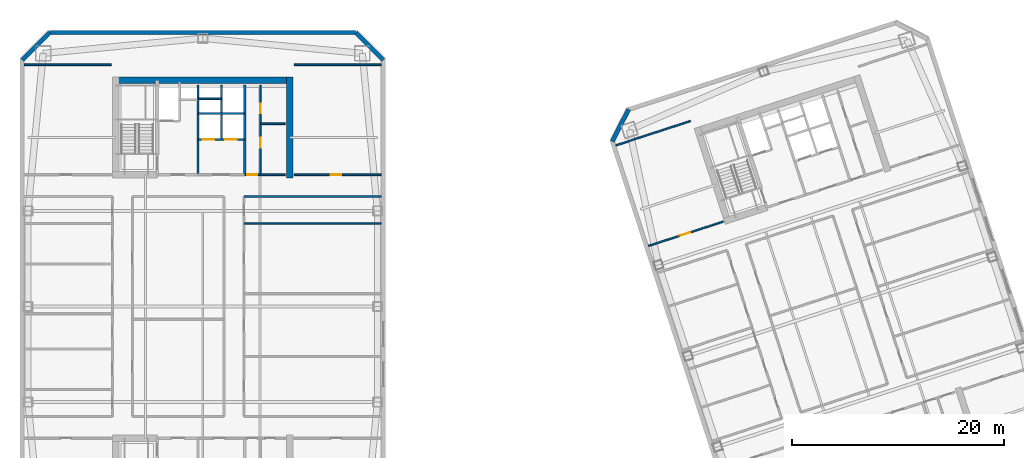
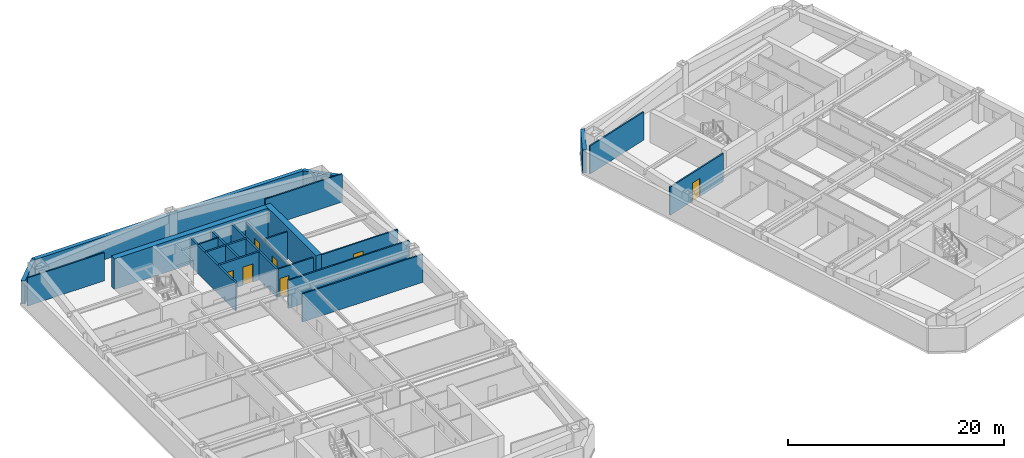
# One storey, part 7 of 13: 22 walls, 7 doors, 7 openings.
"""IFC4 building model written with IfcOpenShell, lengths in metres."""

from ifc_helpers import new_model, si_unit, direction, frame, frame_2d, origin, place, context, subcontext, project, spatial, rectangle, extrude, material, layer, layer_set, type_object, element, fill, save


model = new_model("IFC4")

# Units and contexts
model_context = context("Model", 3, precision=1e-05, world=origin(), true_north=direction((0.0, 1.0)))
body_context = subcontext(model_context, "Body", "Model", "MODEL_VIEW")
ifc_project = project(units=[si_unit("LENGTHUNIT", "METRE"), si_unit("AREAUNIT", "SQUARE_METRE"), si_unit("VOLUMEUNIT", "CUBIC_METRE"), si_unit("PLANEANGLEUNIT", "RADIAN"), si_unit("MASSUNIT", "GRAM", prefix="KILO")], contexts=[model_context])

# Site, building, storey
site_placement = place(None, origin())
site = spatial("IfcSite", under=ifc_project, at=site_placement, CompositionType="ELEMENT")
building_placement = place(site_placement, origin())
building = spatial("IfcBuilding", under=site, at=building_placement, Name="Qiaolan Cultural Towers", CompositionType="ELEMENT")
storey_placement = place(building_placement, frame((0.0, 0.0, 170.199951171875)))
storey = spatial("IfcBuildingStorey", under=building, at=storey_placement, Name="L45", CompositionType="ELEMENT", Elevation=170.199951171875)

# Walls
ifc_material_1 = material(Name="Concrete C55", Category="concrete")
ifc_layer_1 = layer(ifc_material_1, 0.60009765625)
ifc_layer_set_1 = layer_set([ifc_layer_1], Name="Concrete C55")
wall_type_1 = type_object("IfcWallType", Name="WL-CORE-600", PredefinedType="SHEAR", material=ifc_layer_set_1)
wall_1_placement = place(storey_placement, frame((21.5, 55.280029296875, 0.0), z_axis=(0.0, 0.0, 1.0), x_axis=(1.0, 0.0, 0.0)))
element("IfcWall", 1, at=wall_1_placement, inside=storey, type_object=wall_type_1, Name="L45 T1-CN Outer Core Shear Wall", PredefinedType="SHEAR", context=body_context, shape_type="SweptSolid", body=[
    extrude(rectangle(XDim=17.0, YDim=0.60009765625, at=frame_2d((8.5, 0.0))), origin(), (0.0, 0.0, 1.0), 3.449951171875),
])
wall_2_placement = place(storey_placement, frame((38.199951171875, 46.10009765625, 0.0), z_axis=(0.0, 0.0, 1.0), x_axis=(0.0, 1.0, 0.0)))
element("IfcWall", 2, at=wall_2_placement, inside=storey, type_object=wall_type_1, Name="L45 T1-CN East Core Shear Wall", PredefinedType="SHEAR", context=body_context, shape_type="SweptSolid", body=[
    extrude(rectangle(XDim=9.47998046875, YDim=0.60009765625, at=frame_2d((4.739990234375, 0.0))), origin(), (0.0, 0.0, 1.0), 3.449951171875),
])
ifc_material_2 = material(Name="Precast Concrete C50 Honed Stone Pier", Category="masonry")
ifc_layer_2 = layer(ifc_material_2, 0.39990234375)
ifc_layer_set_2 = layer_set([ifc_layer_2], Name="Precast Concrete C50 Honed Stone Pier")
wall_type_2 = type_object("IfcWallType", Name="WL-EXT-PIER-400", PredefinedType="SOLIDWALL", material=ifc_layer_set_2)
wall_3_placement = place(storey_placement, frame((13.0, 57.199951171875, 0.0), z_axis=(0.0, 0.0, 1.0), x_axis=(0.707106781187, 0.707106781187, 0.0)))
element("IfcWall", 3, at=wall_3_placement, inside=storey, type_object=wall_type_2, Name="L45 West Tower Precast Pier Facade Wall F2", PredefinedType="SOLIDWALL", context=body_context, shape_type="SweptSolid", body=[
    extrude(rectangle(XDim=3.677001953125, YDim=0.39990234375, at=frame_2d((1.83837890625, 0.0))), origin(), (0.0, 0.0, 1.0), 2.610107421875),
])
wall_4_placement = place(storey_placement, frame((15.60009765625, 59.800048828125, 0.0), z_axis=(0.0, 0.0, 1.0), x_axis=(1.0, 0.0, 0.0)))
element("IfcWall", 4, at=wall_4_placement, inside=storey, type_object=wall_type_2, Name="L45 West Tower Precast Pier Facade Wall F3", PredefinedType="SOLIDWALL", context=body_context, shape_type="SweptSolid", body=[
    extrude(rectangle(XDim=28.7998046875, YDim=0.39990234375, at=frame_2d((14.39990234375, 0.0))), origin(), (0.0, 0.0, 1.0), 2.610107421875),
])
wall_5_placement = place(storey_placement, frame((44.39990234375, 59.800048828125, 0.0), z_axis=(0.0, 0.0, 1.0), x_axis=(0.707106781187, -0.707106781187, 0.0)))
element("IfcWall", 5, at=wall_5_placement, inside=storey, type_object=wall_type_2, Name="L45 West Tower Precast Pier Facade Wall F4", PredefinedType="SOLIDWALL", context=body_context, shape_type="SweptSolid", body=[
    extrude(rectangle(XDim=3.677001953125, YDim=0.39990234375, at=frame_2d((1.83837890625, 0.0))), origin(), (0.0, 0.0, 1.0), 2.610107421875),
])
wall_6_placement = place(storey_placement, frame((68.550537109375, 49.531982421875, 0.0), z_axis=(0.0, 0.0, 1.0), x_axis=(0.454019523198, 0.890991735402, 0.0)))
element("IfcWall", 6, at=wall_6_placement, inside=storey, type_object=wall_type_2, Name="L45 East Tower Precast Pier Facade Wall F2", PredefinedType="SOLIDWALL", context=body_context, shape_type="SweptSolid", body=[
    extrude(rectangle(XDim=3.39404296875, YDim=0.39990234375, at=frame_2d((1.697021484375, 0.0))), origin(), (0.0, 0.0, 1.0), 2.610107421875),
])
ifc_material_3 = material(Name="Concrete C35 Fire Wall", Category="concrete")
ifc_layer_3 = layer(ifc_material_3, 0.199951171875)
ifc_layer_set_3 = layer_set([ifc_layer_3], Name="Concrete C35 Fire Wall")
wall_type_3 = type_object("IfcWallType", Name="WL-FIRE-200", PredefinedType="PARTITIONING", material=ifc_layer_set_3)
for number, where, z_axis, x_axis, name in (
    (7, (29.550048828125, 46.39990234375, 0.0), (0.0, 0.0, 1.0), (0.0, 1.0, 0.0), "L45 T1-CN Firefighting Zone Wall"),
    (8, (33.949951171875, 46.39990234375, 0.0), (0.0, 0.0, 1.0), (0.0, 1.0, 0.0), "L45 T1-CN Lift Core East Wall"),
):
    element("IfcWall", number, at=place(storey_placement, frame(where, z_axis=z_axis, x_axis=x_axis)), inside=storey, type_object=wall_type_3, Name=name, PredefinedType="PARTITIONING", context=body_context, shape_type="SweptSolid", body=[
        extrude(rectangle(XDim=8.43017578125, YDim=0.199951171875, at=frame_2d((4.215087890625, 0.0))), origin(), (0.0, 0.0, 1.0), 3.175048828125),
    ])

# Wall, openings, doors
wall_7_placement = place(storey_placement, frame((29.550048828125, 49.719970703125, 0.0), z_axis=(0.0, 0.0, 1.0), x_axis=(1.0, 0.0, 0.0)))
wall_7 = element("IfcWall", 9, at=wall_7_placement, inside=storey, type_object=wall_type_3, Name="L45 T1-CN Passenger Lift Shaft Front Wall", PredefinedType="PARTITIONING", context=body_context, shape_type="SweptSolid", body=[
    extrude(rectangle(XDim=4.39990234375, YDim=0.199951171875, at=frame_2d((2.199951171875, 0.0))), origin(), (0.0, 0.0, 1.0), 3.175048828125),
])
opening_1_placement = place(wall_7_placement, frame((0.449951171875, 0.0, 0.0)))
opening_1 = element("IfcOpeningElement", 10, at=opening_1_placement, cuts=wall_7, Name="Opening LD-01", PredefinedType="OPENING", context=body_context, shape_type="SweptSolid", body=[
    extrude(rectangle(XDim=1.10009765625, YDim=2.050048828125, at=frame_2d((0.550048828125, 1.02490234375))), frame((0.0, 0.10986328125, 0.0), z_axis=(0.0, -1.0, 0.0), x_axis=(1.0, 0.0, 0.0)), (0.0, 0.0, 1.0), 0.219970703125),
])
opening_2_placement = place(wall_7_placement, frame((2.550048828125, 0.0, 0.0)))
opening_2 = element("IfcOpeningElement", 11, at=opening_2_placement, cuts=wall_7, Name="Opening LD-01", PredefinedType="OPENING", context=body_context, shape_type="SweptSolid", body=[
    extrude(rectangle(XDim=1.10009765625, YDim=2.050048828125, at=frame_2d((0.550048828125, 1.02490234375))), frame((0.0, 0.10986328125, 0.0), z_axis=(0.0, -1.0, 0.0), x_axis=(1.0, 0.0, 0.0)), (0.0, 0.0, 1.0), 0.219970703125),
])
ifc_material_4 = material(Name="Brushed Stainless Steel S30408 Centre-Parting Lift Landing Door", Category="steel")
door_type_1 = type_object("IfcDoorType", Name="DR-LIFT-1100", OperationType="NOTDEFINED", PredefinedType="DOOR", material=ifc_material_4)
door_1_placement = place(opening_1_placement, origin())
door_1 = element("IfcDoor", 12, at=door_1_placement, inside=storey, type_object=door_type_1, Name="L45 Passenger Lift 1 Landing Door", OperationType="DOUBLE_DOOR_SLIDING", OverallHeight=2.050048828125, OverallWidth=1.10009765625, PredefinedType="DOOR", context=body_context, shape_type="SweptSolid", body=[
    extrude(rectangle(XDim=1.10009765625, YDim=2.050048828125, at=frame_2d((0.550048828125, 1.02490234375))), frame((0.0, 0.02490234375, 0.0), z_axis=(0.0, -1.0, 0.0), x_axis=(1.0, 0.0, 0.0)), (0.0, 0.0, 1.0), 0.050048828125),
])
fill(opening_1, door_1)
door_2_placement = place(opening_2_placement, origin())
door_2 = element("IfcDoor", 13, at=door_2_placement, inside=storey, type_object=door_type_1, Name="L45 Passenger Lift 2 Landing Door", OperationType="DOUBLE_DOOR_SLIDING", OverallHeight=2.050048828125, OverallWidth=1.10009765625, PredefinedType="DOOR", context=body_context, shape_type="SweptSolid", body=[
    extrude(rectangle(XDim=1.10009765625, YDim=2.050048828125, at=frame_2d((0.550048828125, 1.02490234375))), frame((0.0, 0.02490234375, 0.0), z_axis=(0.0, -1.0, 0.0), x_axis=(1.0, 0.0, 0.0)), (0.0, 0.0, 1.0), 0.050048828125),
])
fill(opening_2, door_2)

# Walls
wall_8_placement = place(storey_placement, frame((31.780029296875, 49.719970703125, 0.0), z_axis=(0.0, 0.0, 1.0), x_axis=(0.0, 1.0, 0.0)))
element("IfcWall", 14, at=wall_8_placement, inside=storey, type_object=wall_type_3, Name="L45 T1-CN Lift Shaft Divider Wall", PredefinedType="PARTITIONING", context=body_context, shape_type="SweptSolid", body=[
    extrude(rectangle(XDim=5.110107421875, YDim=0.199951171875, at=frame_2d((2.55517578125, 0.0))), origin(), (0.0, 0.0, 1.0), 3.175048828125),
])
wall_9_placement = place(storey_placement, frame((29.550048828125, 52.14990234375, 0.0), z_axis=(0.0, 0.0, 1.0), x_axis=(1.0, 0.0, 0.0)))
element("IfcWall", 15, at=wall_9_placement, inside=storey, type_object=wall_type_3, Name="L45 T1-CN Passenger Lift Shaft Back Wall", PredefinedType="PARTITIONING", context=body_context, shape_type="SweptSolid", body=[
    extrude(rectangle(XDim=4.39990234375, YDim=0.199951171875, at=frame_2d((2.199951171875, 0.0))), origin(), (0.0, 0.0, 1.0), 3.175048828125),
])
ifc_material_5 = material(Name="Autoclaved Aerated Concrete Block B06", Category="concrete")
ifc_layer_4 = layer(ifc_material_5, 0.14990234375)
ifc_layer_set_4 = layer_set([ifc_layer_4], Name="Autoclaved Aerated Concrete Block B06")
wall_type_4 = type_object("IfcWallType", Name="WL-PART-150", PredefinedType="PARTITIONING", material=ifc_layer_set_4)
wall_10_placement = place(storey_placement, frame((29.550048828125, 53.550048828125, 0.0), z_axis=(0.0, 0.0, 1.0), x_axis=(1.0, 0.0, 0.0)))
element("IfcWall", 16, at=wall_10_placement, inside=storey, type_object=wall_type_4, Name="L45 T1-CN Core Rear Riser Split", PredefinedType="PARTITIONING", context=body_context, shape_type="SweptSolid", body=[
    extrude(rectangle(XDim=2.22998046875, YDim=0.14990234375, at=frame_2d((1.114990234375, 0.0))), origin(), (0.0, 0.0, 1.0), 3.175048828125),
])

# Wall, opening, door
wall_11_placement = place(storey_placement, frame((33.949951171875, 46.39990234375, 0.0), z_axis=(0.0, 0.0, 1.0), x_axis=(1.0, 0.0, 0.0)))
wall_11 = element("IfcWall", 17, at=wall_11_placement, inside=storey, type_object=wall_type_4, Name="L45 T1-CN Sanitary Core Front Wall", PredefinedType="PARTITIONING", context=body_context, shape_type="SweptSolid", body=[
    extrude(rectangle(XDim=3.800048828125, YDim=0.14990234375, at=frame_2d((1.89990234375, 0.0))), origin(), (0.0, 0.0, 1.0), 3.175048828125),
])
opening_3_placement = place(wall_11_placement, frame((0.219970703125, 0.0, 0.0)))
opening_3 = element("IfcOpeningElement", 18, at=opening_3_placement, cuts=wall_11, Name="Opening ID-05", PredefinedType="OPENING", context=body_context, shape_type="SweptSolid", body=[
    extrude(rectangle(XDim=0.949951171875, YDim=2.050048828125, at=frame_2d((0.47509765625, 1.02490234375))), frame((0.0, 0.0849609375, 0.0), z_axis=(0.0, -1.0, 0.0), x_axis=(1.0, 0.0, 0.0)), (0.0, 0.0, 1.0), 0.169921875),
])
ifc_material_6 = material(Name="Fire-Rated Laminate Accessible Core Door", Category="timber")
door_type_2 = type_object("IfcDoorType", Name="DR-INT-950", OperationType="NOTDEFINED", PredefinedType="DOOR", material=ifc_material_6)
door_3_placement = place(opening_3_placement, origin())
door_3 = element("IfcDoor", 19, at=door_3_placement, inside=storey, type_object=door_type_2, Name="L45 Sanitary Lobby Door", OperationType="SINGLE_SWING_LEFT", OverallHeight=2.050048828125, OverallWidth=0.949951171875, PredefinedType="DOOR", context=body_context, shape_type="SweptSolid", body=[
    extrude(rectangle(XDim=0.949951171875, YDim=2.050048828125, at=frame_2d((0.47509765625, 1.02490234375))), frame((0.0, 0.02490234375, 0.0), z_axis=(0.0, -1.0, 0.0), x_axis=(1.0, 0.0, 0.0)), (0.0, 0.0, 1.0), 0.050048828125),
])
fill(opening_3, door_3)

# Wall, openings, doors
wall_12_placement = place(storey_placement, frame((35.449951171875, 46.39990234375, 0.0), z_axis=(0.0, 0.0, 1.0), x_axis=(0.0, 1.0, 0.0)))
wall_12 = element("IfcWall", 20, at=wall_12_placement, inside=storey, type_object=wall_type_4, Name="L45 T1-CN Washroom Split Wall", PredefinedType="PARTITIONING", context=body_context, shape_type="SweptSolid", body=[
    extrude(rectangle(XDim=8.43017578125, YDim=0.14990234375, at=frame_2d((4.215087890625, 0.0))), origin(), (0.0, 0.0, 1.0), 2.81494140625),
])
opening_4_placement = place(wall_12_placement, frame((2.550048828125, 0.0, 0.0)))
opening_4 = element("IfcOpeningElement", 21, at=opening_4_placement, cuts=wall_12, Name="Opening ID-05", PredefinedType="OPENING", context=body_context, shape_type="SweptSolid", body=[
    extrude(rectangle(XDim=0.949951171875, YDim=2.050048828125, at=frame_2d((0.47509765625, 1.02490234375))), frame((0.0, 0.0849609375, 0.0), z_axis=(0.0, -1.0, 0.0), x_axis=(1.0, 0.0, 0.0)), (0.0, 0.0, 1.0), 0.169921875),
])
opening_5_placement = place(wall_12_placement, frame((5.800048828125, 0.0, 0.0)))
opening_5 = element("IfcOpeningElement", 22, at=opening_5_placement, cuts=wall_12, Name="Opening ID-06", PredefinedType="OPENING", context=body_context, shape_type="SweptSolid", body=[
    extrude(rectangle(XDim=0.89990234375, YDim=2.050048828125, at=frame_2d((0.449951171875, 1.02490234375))), frame((0.0, 0.0849609375, 0.0), z_axis=(0.0, -1.0, 0.0), x_axis=(1.0, 0.0, 0.0)), (0.0, 0.0, 1.0), 0.169921875),
])
ifc_material_7 = material(Name="Fire-Rated Laminate Core Service Door", Category="timber")
door_type_3 = type_object("IfcDoorType", Name="DR-INT-900", OperationType="NOTDEFINED", PredefinedType="DOOR", material=ifc_material_7)
door_4_placement = place(opening_5_placement, origin())
door_4 = element("IfcDoor", 23, at=door_4_placement, inside=storey, type_object=door_type_3, Name="L45 First-Aid Room Door", OperationType="SINGLE_SWING_RIGHT", OverallHeight=2.050048828125, OverallWidth=0.89990234375, PredefinedType="DOOR", context=body_context, shape_type="SweptSolid", body=[
    extrude(rectangle(XDim=0.89990234375, YDim=2.050048828125, at=frame_2d((0.449951171875, 1.02490234375))), frame((0.0, 0.02490234375, 0.0), z_axis=(0.0, -1.0, 0.0), x_axis=(1.0, 0.0, 0.0)), (0.0, 0.0, 1.0), 0.050048828125),
])
fill(opening_5, door_4)
door_5_placement = place(opening_4_placement, origin())
door_5 = element("IfcDoor", 24, at=door_5_placement, inside=storey, type_object=door_type_2, Name="L45 Accessible Washroom Door", OperationType="SINGLE_SWING_LEFT", OverallHeight=2.050048828125, OverallWidth=0.949951171875, PredefinedType="DOOR", context=body_context, shape_type="SweptSolid", body=[
    extrude(rectangle(XDim=0.949951171875, YDim=2.050048828125, at=frame_2d((0.47509765625, 1.02490234375))), frame((0.0, 0.02490234375, 0.0), z_axis=(0.0, -1.0, 0.0), x_axis=(1.0, 0.0, 0.0)), (0.0, 0.0, 1.0), 0.050048828125),
])
fill(opening_4, door_5)

# Walls
wall_13_placement = place(storey_placement, frame((35.449951171875, 51.199951171875, 0.0), z_axis=(0.0, 0.0, 1.0), x_axis=(1.0, 0.0, 0.0)))
element("IfcWall", 25, at=wall_13_placement, inside=storey, type_object=wall_type_4, Name="L45 T1-CN First-Aid Wall", PredefinedType="PARTITIONING", context=body_context, shape_type="SweptSolid", body=[
    extrude(rectangle(XDim=2.300048828125, YDim=0.14990234375, at=frame_2d((1.14990234375, 0.0))), origin(), (0.0, 0.0, 1.0), 3.175048828125),
])
for number, where, z_axis, x_axis, name in (
    (26, (13.199951171875, 56.75, 0.0), (0.0, 0.0, 1.0), (1.0, 0.0, 0.0), "L45 T1 Flank Wall FLK-NW"),
    (27, (38.60009765625, 56.75, 0.0), (0.0, 0.0, 1.0), (1.0, 0.0, 0.0), "L45 T1 Flank Wall FLK-NE"),
):
    element("IfcWall", number, at=place(storey_placement, frame(where, z_axis=z_axis, x_axis=x_axis)), inside=storey, type_object=wall_type_4, Name=name, PredefinedType="PARTITIONING", context=body_context, shape_type="SweptSolid", body=[
        extrude(rectangle(XDim=8.199951171875, YDim=0.14990234375, at=frame_2d((4.10009765625, 0.0))), origin(), (0.0, 0.0, 1.0), 3.175048828125),
    ])

# Wall, opening, door
wall_14_placement = place(storey_placement, frame((38.60009765625, 46.39990234375, 0.0), z_axis=(0.0, 0.0, 1.0), x_axis=(1.0, 0.0, 0.0)))
wall_14 = element("IfcWall", 28, at=wall_14_placement, inside=storey, type_object=wall_type_4, Name="L45 T1 Flank Front FLK-NE", PredefinedType="PARTITIONING", context=body_context, shape_type="SweptSolid", body=[
    extrude(rectangle(XDim=8.199951171875, YDim=0.14990234375, at=frame_2d((4.10009765625, 0.0))), origin(), (0.0, 0.0, 1.0), 3.175048828125),
])
opening_6_placement = place(wall_14_placement, frame((3.444091796875, 0.0, 0.0)))
opening_6 = element("IfcOpeningElement", 29, at=opening_6_placement, cuts=wall_14, Name="Opening ID-04", PredefinedType="OPENING", context=body_context, shape_type="SweptSolid", body=[
    extrude(rectangle(XDim=1.0, YDim=2.050048828125, at=frame_2d((0.5, 1.02490234375))), frame((0.0, 0.0849609375, 0.0), z_axis=(0.0, -1.0, 0.0), x_axis=(1.0, 0.0, 0.0)), (0.0, 0.0, 1.0), 0.169921875),
])
ifc_material_8 = material(Name="Oak Veneer Acoustic Office Door", Category="timber")
door_type_4 = type_object("IfcDoorType", Name="DR-INT-1000", OperationType="NOTDEFINED", PredefinedType="DOOR", material=ifc_material_8)
door_6_placement = place(opening_6_placement, origin())
door_6 = element("IfcDoor", 30, at=door_6_placement, inside=storey, type_object=door_type_4, Name="L45 T1 Corner Studio Door", OperationType="SINGLE_SWING_LEFT", OverallHeight=2.050048828125, OverallWidth=1.0, PredefinedType="DOOR", context=body_context, shape_type="SweptSolid", body=[
    extrude(rectangle(XDim=1.0, YDim=2.050048828125, at=frame_2d((0.5, 1.02490234375))), frame((0.0, 0.02490234375, 0.0), z_axis=(0.0, -1.0, 0.0), x_axis=(1.0, 0.0, 0.0)), (0.0, 0.0, 1.0), 0.050048828125),
])
fill(opening_6, door_6)

# Walls
for number, where, z_axis, x_axis, name in (
    (31, (33.89990234375, 44.35009765625, 0.0), (0.0, 0.0, 1.0), (1.0, 0.0, 0.0), "L45 T1 Interior Wall"),
    (32, (33.89990234375, 41.800048828125, 0.0), (0.0, 0.0, 1.0), (1.0, 0.0, 0.0), "L45 T1 Interior Wall"),
):
    element("IfcWall", number, at=place(storey_placement, frame(where, z_axis=z_axis, x_axis=x_axis)), inside=storey, type_object=wall_type_4, Name=name, PredefinedType="PARTITIONING", context=body_context, shape_type="SweptSolid", body=[
        extrude(rectangle(XDim=12.900146484375, YDim=0.14990234375, at=frame_2d((6.4501953125, 0.0))), origin(), (0.0, 0.0, 1.0), 3.175048828125),
    ])
wall_15_placement = place(storey_placement, frame((68.8798828125, 49.165771484375, 0.0), z_axis=(0.0, 0.0, 1.0), x_axis=(0.951060977215, 0.309003264738, 0.0)))
element("IfcWall", 33, at=wall_15_placement, inside=storey, type_object=wall_type_4, Name="L45 T2 Flank Wall FLK-NW", PredefinedType="PARTITIONING", context=body_context, shape_type="SweptSolid", body=[
    extrude(rectangle(XDim=7.39990234375, YDim=0.14990234375, at=frame_2d((3.699951171875, 0.0))), origin(), (0.0, 0.0, 1.0), 3.175048828125),
])

# Wall, opening, door
wall_16_placement = place(storey_placement, frame((71.95458984375, 39.702880859375, 0.0), z_axis=(0.0, 0.0, 1.0), x_axis=(0.951060977215, 0.309003264738, 0.0)))
wall_16 = element("IfcWall", 34, at=wall_16_placement, inside=storey, type_object=wall_type_4, Name="L45 T2 Flank Front FLK-NW", PredefinedType="PARTITIONING", context=body_context, shape_type="SweptSolid", body=[
    extrude(rectangle(XDim=7.39990234375, YDim=0.14990234375, at=frame_2d((3.699951171875, 0.0))), origin(), (0.0, 0.0, 1.0), 3.175048828125),
])
opening_7_placement = place(wall_16_placement, frame((3.10791015625, 0.0, 0.0)))
opening_7 = element("IfcOpeningElement", 35, at=opening_7_placement, cuts=wall_16, Name="Opening ID-04", PredefinedType="OPENING", context=body_context, shape_type="SweptSolid", body=[
    extrude(rectangle(XDim=1.0, YDim=2.050048828125, at=frame_2d((0.5, 1.02490234375))), frame((0.0, 0.0849609375, 0.0), z_axis=(0.0, -1.0, 0.0), x_axis=(1.0, 0.0, 0.0)), (0.0, 0.0, 1.0), 0.169921875),
])
door_7_placement = place(opening_7_placement, origin())
door_7 = element("IfcDoor", 36, at=door_7_placement, inside=storey, type_object=door_type_4, Name="L45 T2 Corner Studio Door", OperationType="SINGLE_SWING_LEFT", OverallHeight=2.050048828125, OverallWidth=1.0, PredefinedType="DOOR", context=body_context, shape_type="SweptSolid", body=[
    extrude(rectangle(XDim=1.0, YDim=2.050048828125, at=frame_2d((0.5, 1.02490234375))), frame((0.0, 0.02490234375, 0.0), z_axis=(0.0, -1.0, 0.0), x_axis=(1.0, 0.0, 0.0)), (0.0, 0.0, 1.0), 0.050048828125),
])
fill(opening_7, door_7)

save(model, "model.ifc")
